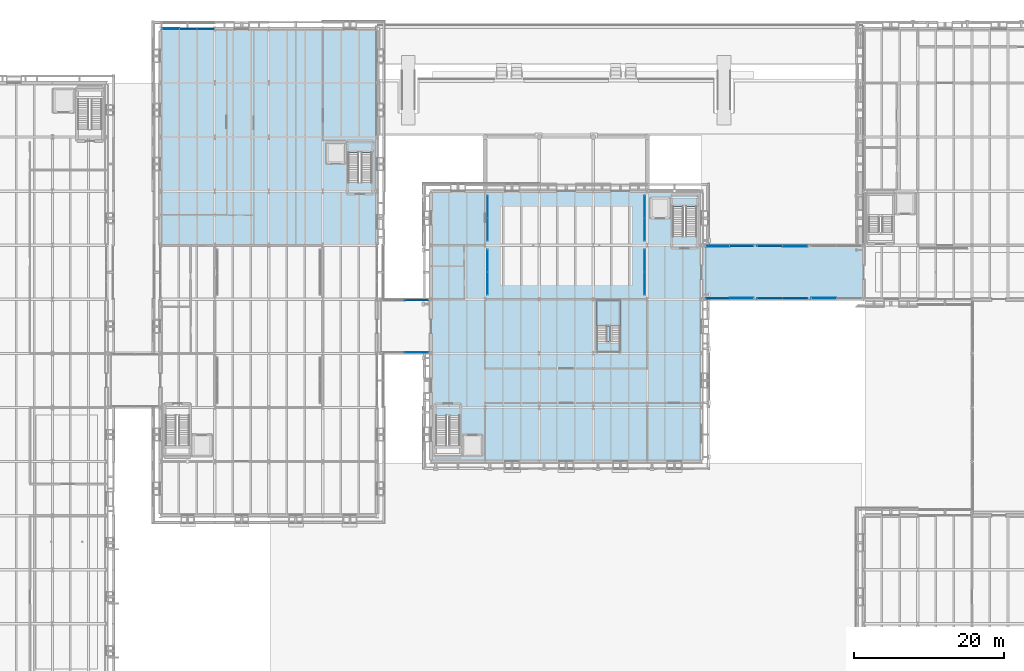
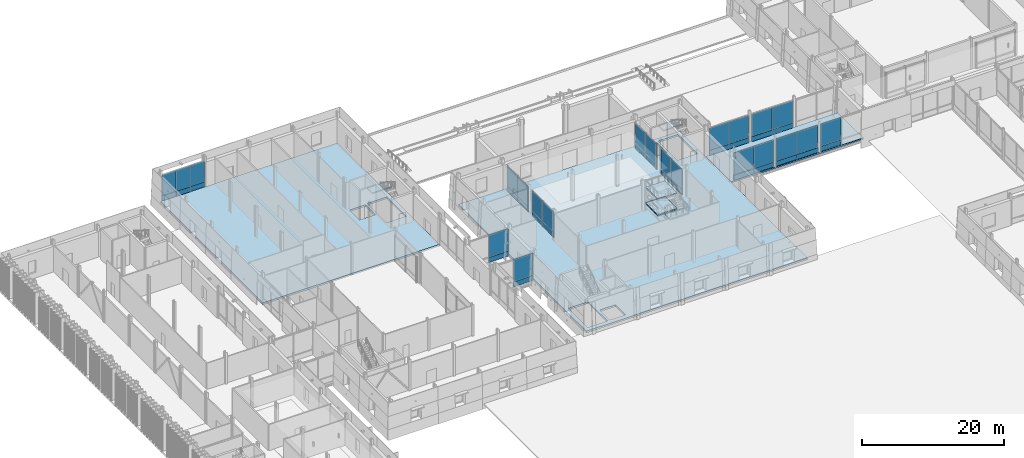
# One storey, part 61 of 120: 44 plates, 8 slabs, 15 elements without a shape of their own.
"""IFC4 building model written with IfcOpenShell, lengths in metres."""

from ifc_helpers import new_model, si_unit, direction, frame, origin, origin_2d, place, context, subcontext, project, spatial, polyline, rectangle, outline, extrude, material, layer, layer_set, type_object, element, aggregate, save


model = new_model("IFC4")

# Units and contexts
model_context = context("Model", 3, precision=1e-05, world=origin(), true_north=direction((0.0, 1.0)))
body_context = subcontext(model_context, "Body", "Model", "MODEL_VIEW")
ifc_project = project(units=[si_unit("LENGTHUNIT", "METRE"), si_unit("AREAUNIT", "SQUARE_METRE"), si_unit("VOLUMEUNIT", "CUBIC_METRE"), si_unit("PLANEANGLEUNIT", "RADIAN"), si_unit("MASSUNIT", "GRAM", prefix="KILO")], contexts=[model_context])

# Site, building, storey
site_placement = place(None, origin())
site = spatial("IfcSite", under=ifc_project, at=site_placement, CompositionType="ELEMENT")
building_placement = place(site_placement, origin())
building = spatial("IfcBuilding", under=site, at=building_placement, Name="Narikvali Park Central Library", CompositionType="ELEMENT")
storey_placement = place(building_placement, origin())
storey = spatial("IfcBuildingStorey", under=building, at=storey_placement, Name="L00", CompositionType="ELEMENT", Elevation=0.0)

# Slab
ifc_material_1 = material(Name="Concrete C40/50", Category="concrete")
ifc_layer_1 = layer(ifc_material_1, 0.25, Name="Concrete C40/50")
ifc_layer_set_1 = layer_set([ifc_layer_1], Name="Concrete C40/50")
slab_type_1 = type_object("IfcSlabType", Name="Bridge Sliding Deck Slab 250", PredefinedType="FLOOR", material=ifc_layer_set_1)
slab_1_placement = place(storey_placement, frame((0.0, 0.0, -0.25)))
element("IfcSlab", 1, at=slab_1_placement, inside=storey, type_object=slab_type_1, Name="BRG-3 L00 Covered Bridge Deck", PredefinedType="FLOOR", context=body_context, shape_type="SweptSolid", body=[
    extrude(outline(polyline([(100.840087890625, 79.199951171875), (122.360107421875, 79.199951171875), (122.360107421875, 86.39990234375), (100.840087890625, 86.39990234375), (100.840087890625, 79.199951171875)])), origin(), (0.0, 0.0, 1.0), 0.25),
])

# Curtain wall, plate
ifc_material_2 = material(Name="Anodised Bronze Aluminium", Category="aluminium")
ifc_layer_2 = layer(ifc_material_2, 0.219970703125, Name="Anodised Bronze Aluminium")
ifc_layer_set_2 = layer_set([ifc_layer_2], Name="Anodised Bronze Aluminium")
curtain_wall_type_1 = type_object("IfcCurtainWallType", Name="Atrium Tall Curtain Wall System", PredefinedType="NOTDEFINED", material=ifc_layer_set_2)
curtain_wall_1_placement = place(storey_placement, origin())
curtain_wall_1 = element("IfcCurtainWall", 2, at=curtain_wall_1_placement, inside=storey, type_object=curtain_wall_type_1, Name="Atrium Tall Curtain Wall System CW-V4-L00-N-04", PredefinedType="NOTDEFINED")
ifc_material_3 = material(Name="Anodised Bronze Acoustic Spandrel Cassette")
ifc_layer_3 = layer(ifc_material_3, 0.1650390625, Name="Anodised Bronze Acoustic Spandrel Cassette")
ifc_layer_set_3 = layer_set([ifc_layer_3], Name="Anodised Bronze Acoustic Spandrel Cassette")
plate_type_1 = type_object("IfcPlateType", Name="Curtain Wall Acoustic Plenum Louvre Cassette 165", PredefinedType="CURTAIN_PANEL", material=ifc_layer_set_3)
plate_1_placement = place(storey_placement, frame((32.47705078125, 115.199951171875, 0.03515625), z_axis=(0.0, 0.0, 1.0), x_axis=(-1.0, 0.0, 0.0)))
plate_1 = element("IfcPlate", 3, at=plate_1_placement, type_object=plate_type_1, Name="CW-V4-L00-N-04 Panel 01-0", PredefinedType="CURTAIN_PANEL", context=body_context, shape_type="SweptSolid", body=[
    extrude(rectangle(XDim=2.313232421875, YDim=0.1650390625, at=origin_2d()), origin(), (0.0, 0.0, 1.0), 0.860107421875),
])

ifc_layer_4 = layer(ifc_material_2, 0.219970703125, Name="Anodised Bronze Aluminium")
ifc_layer_set_4 = layer_set([ifc_layer_4], Name="Anodised Bronze Aluminium")
curtain_wall_type_2 = type_object("IfcCurtainWallType", Name="Bridge Covered Passage Glazing System", PredefinedType="NOTDEFINED", material=ifc_layer_set_4)
curtain_wall_2_placement = place(storey_placement, origin())
curtain_wall_2 = element("IfcCurtainWall", 4, at=curtain_wall_2_placement, inside=storey, type_object=curtain_wall_type_2, Name="Bridge Covered Passage Glazing System CW-BRG-3-L00-S1", PredefinedType="NOTDEFINED")
plate_2_placement = place(storey_placement, frame((102.952392578125, 79.320068359375, 0.03515625), z_axis=(0.0, 0.0, 1.0), x_axis=(1.0, 0.0, 0.0)))
plate_2 = element("IfcPlate", 5, at=plate_2_placement, type_object=plate_type_1, Name="CW-BRG-3-L00-S1 Panel 00-0", PredefinedType="CURTAIN_PANEL", context=body_context, shape_type="SweptSolid", body=[
    extrude(rectangle(XDim=3.195068359375, YDim=0.1650390625, at=origin_2d()), origin(), (0.0, 0.0, 1.0), 0.860107421875),
])

curtain_wall_3_placement = place(storey_placement, origin())
curtain_wall_3 = element("IfcCurtainWall", 6, at=curtain_wall_3_placement, inside=storey, type_object=curtain_wall_type_2, Name="Bridge Covered Passage Glazing System CW-BRG-3-L00-S2", PredefinedType="NOTDEFINED")
plate_3_placement = place(storey_placement, frame((113.280029296875, 79.320068359375, 0.03515625), z_axis=(0.0, 0.0, 1.0), x_axis=(1.0, 0.0, 0.0)))
plate_3 = element("IfcPlate", 7, at=plate_3_placement, type_object=plate_type_1, Name="CW-BRG-3-L00-S2 Panel 01-0", PredefinedType="CURTAIN_PANEL", context=body_context, shape_type="SweptSolid", body=[
    extrude(rectangle(XDim=3.35009765625, YDim=0.1650390625, at=origin_2d()), origin(), (0.0, 0.0, 1.0), 0.860107421875),
])

curtain_wall_4_placement = place(storey_placement, origin())
curtain_wall_4 = element("IfcCurtainWall", 8, at=curtain_wall_4_placement, inside=storey, type_object=curtain_wall_type_2, Name="Bridge Covered Passage Glazing System CW-BRG-3-L00-N2", PredefinedType="NOTDEFINED")
plate_4_placement = place(storey_placement, frame((109.919921875, 86.280029296875, 0.03515625), z_axis=(0.0, 0.0, 1.0), x_axis=(1.0, 0.0, 0.0)))
plate_4 = element("IfcPlate", 9, at=plate_4_placement, type_object=plate_type_1, Name="CW-BRG-3-L00-N2 Panel 00-0", PredefinedType="CURTAIN_PANEL", context=body_context, shape_type="SweptSolid", body=[
    extrude(rectangle(XDim=3.35009765625, YDim=0.1650390625, at=origin_2d()), origin(), (0.0, 0.0, 1.0), 0.860107421875),
])

# Plate
ifc_material_4 = material(Name="Heavy Acoustic Laminated Clerestory Glazing", Category="glass")
ifc_layer_5 = layer(ifc_material_4, 0.06396484375, Name="Heavy Acoustic Laminated Clerestory Glazing")
ifc_layer_set_5 = layer_set([ifc_layer_5], Name="Heavy Acoustic Laminated Clerestory Glazing")
plate_type_2 = type_object("IfcPlateType", Name="Curtain Wall Clerestory Laminated Acoustic Glass 64", PredefinedType="CURTAIN_PANEL", material=ifc_layer_set_5)
plate_5_placement = place(storey_placement, frame((34.80029296875, 115.199951171875, 0.905029296875), z_axis=(0.0, 0.0, 1.0), x_axis=(-1.0, 0.0, 0.0)))
plate_5 = element("IfcPlate", 10, at=plate_5_placement, type_object=plate_type_2, Name="CW-V4-L00-N-04 Panel 00-1", PredefinedType="CURTAIN_PANEL", context=body_context, shape_type="SweptSolid", body=[
    extrude(rectangle(XDim=2.313232421875, YDim=0.06396484375, at=origin_2d()), origin(), (0.0, 0.0, 1.0), 3.56005859375),
])

plate_6_placement = place(storey_placement, frame((32.47705078125, 115.199951171875, 0.905029296875), z_axis=(0.0, 0.0, 1.0), x_axis=(-1.0, 0.0, 0.0)))
plate_6 = element("IfcPlate", 11, at=plate_6_placement, type_object=plate_type_2, Name="CW-V4-L00-N-04 Panel 01-1", PredefinedType="CURTAIN_PANEL", context=body_context, shape_type="SweptSolid", body=[
    extrude(rectangle(XDim=2.313232421875, YDim=0.06396484375, at=origin_2d()), origin(), (0.0, 0.0, 1.0), 3.56005859375),
])

plate_7_placement = place(storey_placement, frame((30.15380859375, 115.199951171875, 0.905029296875), z_axis=(0.0, 0.0, 1.0), x_axis=(-1.0, 0.0, 0.0)))
plate_7 = element("IfcPlate", 12, at=plate_7_placement, type_object=plate_type_2, Name="CW-V4-L00-N-04 Panel 02-1", PredefinedType="CURTAIN_PANEL", context=body_context, shape_type="SweptSolid", body=[
    extrude(rectangle(XDim=2.313232421875, YDim=0.06396484375, at=origin_2d()), origin(), (0.0, 0.0, 1.0), 3.56005859375),
])

plate_8_placement = place(storey_placement, frame((109.919921875, 79.320068359375, 0.905029296875), z_axis=(0.0, 0.0, 1.0), x_axis=(1.0, 0.0, 0.0)))
plate_8 = element("IfcPlate", 13, at=plate_8_placement, type_object=plate_type_2, Name="CW-BRG-3-L00-S2 Panel 00-1", PredefinedType="CURTAIN_PANEL", context=body_context, shape_type="SweptSolid", body=[
    extrude(rectangle(XDim=3.35009765625, YDim=0.06396484375, at=origin_2d()), origin(), (0.0, 0.0, 1.0), 3.81005859375),
])

plate_9_placement = place(storey_placement, frame((113.280029296875, 79.320068359375, 0.905029296875), z_axis=(0.0, 0.0, 1.0), x_axis=(1.0, 0.0, 0.0)))
plate_9 = element("IfcPlate", 14, at=plate_9_placement, type_object=plate_type_2, Name="CW-BRG-3-L00-S2 Panel 01-1", PredefinedType="CURTAIN_PANEL", context=body_context, shape_type="SweptSolid", body=[
    extrude(rectangle(XDim=3.35009765625, YDim=0.06396484375, at=origin_2d()), origin(), (0.0, 0.0, 1.0), 3.81005859375),
])

# Curtain wall, plates
curtain_wall_5_placement = place(storey_placement, origin())
curtain_wall_5 = element("IfcCurtainWall", 15, at=curtain_wall_5_placement, inside=storey, type_object=curtain_wall_type_1, Name="Atrium Tall Curtain Wall System CW-GAL-V1-L00-FOY-W1", PredefinedType="NOTDEFINED")
plate_10_placement = place(storey_placement, frame((72.35009765625, 81.300048828125, 0.03515625), z_axis=(0.0, 0.0, 1.0), x_axis=(0.0, 1.0, 0.0)))
plate_10 = element("IfcPlate", 16, at=plate_10_placement, type_object=plate_type_2, Name="CW-GAL-V1-L00-FOY-W1 Panel 00-0", PredefinedType="CURTAIN_PANEL", context=body_context, shape_type="SweptSolid", body=[
    extrude(rectangle(XDim=2.989990234375, YDim=0.06396484375, at=origin_2d()), origin(), (0.0, 0.0, 1.0), 0.860107421875),
])
plate_11_placement = place(storey_placement, frame((72.35009765625, 84.300048828125, 0.03515625), z_axis=(0.0, 0.0, 1.0), x_axis=(0.0, 1.0, 0.0)))
plate_11 = element("IfcPlate", 17, at=plate_11_placement, type_object=plate_type_2, Name="CW-GAL-V1-L00-FOY-W1 Panel 01-0", PredefinedType="CURTAIN_PANEL", context=body_context, shape_type="SweptSolid", body=[
    extrude(rectangle(XDim=2.989990234375, YDim=0.06396484375, at=origin_2d()), origin(), (0.0, 0.0, 1.0), 0.860107421875),
])

curtain_wall_6_placement = place(storey_placement, origin())
curtain_wall_6 = element("IfcCurtainWall", 18, at=curtain_wall_6_placement, inside=storey, type_object=curtain_wall_type_1, Name="Atrium Tall Curtain Wall System CW-GAL-V1-L00-FOY-E1", PredefinedType="NOTDEFINED")
plate_12_placement = place(storey_placement, frame((93.25, 81.300048828125, 0.905029296875), z_axis=(0.0, 0.0, 1.0), x_axis=(0.0, 1.0, 0.0)))
plate_12 = element("IfcPlate", 19, at=plate_12_placement, type_object=plate_type_2, Name="CW-GAL-V1-L00-FOY-E1 Panel 00-1", PredefinedType="CURTAIN_PANEL", context=body_context, shape_type="SweptSolid", body=[
    extrude(rectangle(XDim=2.989990234375, YDim=0.06396484375, at=origin_2d()), origin(), (0.0, 0.0, 1.0), 3.4599609375),
])
plate_13_placement = place(storey_placement, frame((93.25, 84.300048828125, 0.905029296875), z_axis=(0.0, 0.0, 1.0), x_axis=(0.0, 1.0, 0.0)))
plate_13 = element("IfcPlate", 20, at=plate_13_placement, type_object=plate_type_2, Name="CW-GAL-V1-L00-FOY-E1 Panel 01-1", PredefinedType="CURTAIN_PANEL", context=body_context, shape_type="SweptSolid", body=[
    extrude(rectangle(XDim=2.989990234375, YDim=0.06396484375, at=origin_2d()), origin(), (0.0, 0.0, 1.0), 3.4599609375),
])

curtain_wall_7_placement = place(storey_placement, origin())
curtain_wall_7 = element("IfcCurtainWall", 21, at=curtain_wall_7_placement, inside=storey, type_object=curtain_wall_type_1, Name="Atrium Tall Curtain Wall System CW-GAL-V1-L00-FOY-E2", PredefinedType="NOTDEFINED")
plate_14_placement = place(storey_placement, frame((93.25, 88.5, 0.03515625), z_axis=(0.0, 0.0, 1.0), x_axis=(0.0, 1.0, 0.0)))
plate_14 = element("IfcPlate", 22, at=plate_14_placement, type_object=plate_type_2, Name="CW-GAL-V1-L00-FOY-E2 Panel 00-0", PredefinedType="CURTAIN_PANEL", context=body_context, shape_type="SweptSolid", body=[
    extrude(rectangle(XDim=2.989990234375, YDim=0.06396484375, at=origin_2d()), origin(), (0.0, 0.0, 1.0), 0.860107421875),
])
plate_15_placement = place(storey_placement, frame((93.25, 91.5, 0.03515625), z_axis=(0.0, 0.0, 1.0), x_axis=(0.0, 1.0, 0.0)))
plate_15 = element("IfcPlate", 23, at=plate_15_placement, type_object=plate_type_2, Name="CW-GAL-V1-L00-FOY-E2 Panel 01-0", PredefinedType="CURTAIN_PANEL", context=body_context, shape_type="SweptSolid", body=[
    extrude(rectangle(XDim=2.989990234375, YDim=0.06396484375, at=origin_2d()), origin(), (0.0, 0.0, 1.0), 0.860107421875),
])

# Curtain wall, plate
curtain_wall_8_placement = place(storey_placement, origin())
curtain_wall_8 = element("IfcCurtainWall", 24, at=curtain_wall_8_placement, inside=storey, type_object=curtain_wall_type_2, Name="Bridge Covered Passage Glazing System CW-BRG-2-L00-S1", PredefinedType="NOTDEFINED")
ifc_material_5 = material(Name="Double Low-E Tempered Vision Glazing", Category="glass")
ifc_layer_6 = layer(ifc_material_5, 0.035888671875, Name="Double Low-E Tempered Vision Glazing")
ifc_layer_set_6 = layer_set([ifc_layer_6], Name="Double Low-E Tempered Vision Glazing")
plate_type_3 = type_object("IfcPlateType", Name="Curtain Wall Double Low-E Vision Glazing 36", PredefinedType="CURTAIN_PANEL", material=ifc_layer_set_6)
plate_16_placement = place(storey_placement, frame((62.91259765625, 72.1201171875, 0.905029296875), z_axis=(0.0, 0.0, 1.0), x_axis=(1.0, 0.0, 0.0)))
plate_16 = element("IfcPlate", 25, at=plate_16_placement, type_object=plate_type_3, Name="CW-BRG-2-L00-S1 Panel 01-1", PredefinedType="CURTAIN_PANEL", context=body_context, shape_type="SweptSolid", body=[
    extrude(rectangle(XDim=3.1650390625, YDim=0.035888671875, at=origin_2d()), origin(), (0.0, 0.0, 1.0), 3.81005859375),
])

# Plate
plate_17_placement = place(storey_placement, frame((102.952392578125, 79.320068359375, 0.905029296875), z_axis=(0.0, 0.0, 1.0), x_axis=(1.0, 0.0, 0.0)))
plate_17 = element("IfcPlate", 26, at=plate_17_placement, type_object=plate_type_3, Name="CW-BRG-3-L00-S1 Panel 00-1", PredefinedType="CURTAIN_PANEL", context=body_context, shape_type="SweptSolid", body=[
    extrude(rectangle(XDim=3.195068359375, YDim=0.035888671875, at=origin_2d()), origin(), (0.0, 0.0, 1.0), 3.81005859375),
])

plate_18_placement = place(storey_placement, frame((106.157470703125, 79.320068359375, 0.905029296875), z_axis=(0.0, 0.0, 1.0), x_axis=(1.0, 0.0, 0.0)))
plate_18 = element("IfcPlate", 27, at=plate_18_placement, type_object=plate_type_3, Name="CW-BRG-3-L00-S1 Panel 01-1", PredefinedType="CURTAIN_PANEL", context=body_context, shape_type="SweptSolid", body=[
    extrude(rectangle(XDim=3.195068359375, YDim=0.035888671875, at=origin_2d()), origin(), (0.0, 0.0, 1.0), 3.81005859375),
])

plate_19_placement = place(storey_placement, frame((109.919921875, 86.280029296875, 0.905029296875), z_axis=(0.0, 0.0, 1.0), x_axis=(1.0, 0.0, 0.0)))
plate_19 = element("IfcPlate", 28, at=plate_19_placement, type_object=plate_type_3, Name="CW-BRG-3-L00-N2 Panel 00-1", PredefinedType="CURTAIN_PANEL", context=body_context, shape_type="SweptSolid", body=[
    extrude(rectangle(XDim=3.35009765625, YDim=0.035888671875, at=origin_2d()), origin(), (0.0, 0.0, 1.0), 3.81005859375),
])

plate_20_placement = place(storey_placement, frame((113.280029296875, 86.280029296875, 0.905029296875), z_axis=(0.0, 0.0, 1.0), x_axis=(1.0, 0.0, 0.0)))
plate_20 = element("IfcPlate", 29, at=plate_20_placement, type_object=plate_type_3, Name="CW-BRG-3-L00-N2 Panel 01-1", PredefinedType="CURTAIN_PANEL", context=body_context, shape_type="SweptSolid", body=[
    extrude(rectangle(XDim=3.35009765625, YDim=0.035888671875, at=origin_2d()), origin(), (0.0, 0.0, 1.0), 3.81005859375),
])

plate_21_placement = place(storey_placement, frame((72.35009765625, 81.300048828125, 0.905029296875), z_axis=(0.0, 0.0, 1.0), x_axis=(0.0, 1.0, 0.0)))
plate_21 = element("IfcPlate", 30, at=plate_21_placement, type_object=plate_type_3, Name="CW-GAL-V1-L00-FOY-W1 Panel 00-1", PredefinedType="CURTAIN_PANEL", context=body_context, shape_type="SweptSolid", body=[
    extrude(rectangle(XDim=2.989990234375, YDim=0.035888671875, at=origin_2d()), origin(), (0.0, 0.0, 1.0), 3.4599609375),
])

plate_22_placement = place(storey_placement, frame((72.35009765625, 84.300048828125, 0.905029296875), z_axis=(0.0, 0.0, 1.0), x_axis=(0.0, 1.0, 0.0)))
plate_22 = element("IfcPlate", 31, at=plate_22_placement, type_object=plate_type_3, Name="CW-GAL-V1-L00-FOY-W1 Panel 01-1", PredefinedType="CURTAIN_PANEL", context=body_context, shape_type="SweptSolid", body=[
    extrude(rectangle(XDim=2.989990234375, YDim=0.035888671875, at=origin_2d()), origin(), (0.0, 0.0, 1.0), 3.4599609375),
])

aggregate(curtain_wall_5, [plate_10, plate_21, plate_11, plate_22])

# Curtain wall, plates
curtain_wall_9_placement = place(storey_placement, origin())
curtain_wall_9 = element("IfcCurtainWall", 32, at=curtain_wall_9_placement, inside=storey, type_object=curtain_wall_type_1, Name="Atrium Tall Curtain Wall System CW-GAL-V1-L00-FOY-W2", PredefinedType="NOTDEFINED")
plate_23_placement = place(storey_placement, frame((72.35009765625, 88.5, 0.03515625), z_axis=(0.0, 0.0, 1.0), x_axis=(0.0, 1.0, 0.0)))
plate_23 = element("IfcPlate", 33, at=plate_23_placement, type_object=plate_type_3, Name="CW-GAL-V1-L00-FOY-W2 Panel 00-0", PredefinedType="CURTAIN_PANEL", context=body_context, shape_type="SweptSolid", body=[
    extrude(rectangle(XDim=2.989990234375, YDim=0.035888671875, at=origin_2d()), origin(), (0.0, 0.0, 1.0), 0.860107421875),
])
plate_24_placement = place(storey_placement, frame((72.35009765625, 91.5, 0.03515625), z_axis=(0.0, 0.0, 1.0), x_axis=(0.0, 1.0, 0.0)))
plate_24 = element("IfcPlate", 34, at=plate_24_placement, type_object=plate_type_3, Name="CW-GAL-V1-L00-FOY-W2 Panel 01-0", PredefinedType="CURTAIN_PANEL", context=body_context, shape_type="SweptSolid", body=[
    extrude(rectangle(XDim=2.989990234375, YDim=0.035888671875, at=origin_2d()), origin(), (0.0, 0.0, 1.0), 0.860107421875),
])

# Plate
plate_25_placement = place(storey_placement, frame((93.25, 88.5, 0.905029296875), z_axis=(0.0, 0.0, 1.0), x_axis=(0.0, 1.0, 0.0)))
plate_25 = element("IfcPlate", 35, at=plate_25_placement, type_object=plate_type_3, Name="CW-GAL-V1-L00-FOY-E2 Panel 00-1", PredefinedType="CURTAIN_PANEL", context=body_context, shape_type="SweptSolid", body=[
    extrude(rectangle(XDim=2.989990234375, YDim=0.035888671875, at=origin_2d()), origin(), (0.0, 0.0, 1.0), 3.4599609375),
])

plate_26_placement = place(storey_placement, frame((93.25, 91.5, 0.905029296875), z_axis=(0.0, 0.0, 1.0), x_axis=(0.0, 1.0, 0.0)))
plate_26 = element("IfcPlate", 36, at=plate_26_placement, type_object=plate_type_3, Name="CW-GAL-V1-L00-FOY-E2 Panel 01-1", PredefinedType="CURTAIN_PANEL", context=body_context, shape_type="SweptSolid", body=[
    extrude(rectangle(XDim=2.989990234375, YDim=0.035888671875, at=origin_2d()), origin(), (0.0, 0.0, 1.0), 3.4599609375),
])

aggregate(curtain_wall_7, [plate_14, plate_25, plate_15, plate_26])

ifc_material_6 = material(Name="Anodised Bronze Insulated Spandrel Cassette")
ifc_layer_7 = layer(ifc_material_6, 0.110107421875, Name="Anodised Bronze Insulated Spandrel Cassette")
ifc_layer_set_7 = layer_set([ifc_layer_7], Name="Anodised Bronze Insulated Spandrel Cassette")
plate_type_4 = type_object("IfcPlateType", Name="Curtain Wall Insulated Bronze Spandrel Cassette 110", PredefinedType="CURTAIN_PANEL", material=ifc_layer_set_7)
plate_27_placement = place(storey_placement, frame((30.15380859375, 115.199951171875, 0.03515625), z_axis=(0.0, 0.0, 1.0), x_axis=(-1.0, 0.0, 0.0)))
plate_27 = element("IfcPlate", 37, at=plate_27_placement, type_object=plate_type_4, Name="CW-V4-L00-N-04 Panel 02-0", PredefinedType="CURTAIN_PANEL", context=body_context, shape_type="SweptSolid", body=[
    extrude(rectangle(XDim=2.313232421875, YDim=0.110107421875, at=origin_2d()), origin(), (0.0, 0.0, 1.0), 0.860107421875),
])

plate_28_placement = place(storey_placement, frame((62.91259765625, 72.1201171875, 0.03515625), z_axis=(0.0, 0.0, 1.0), x_axis=(1.0, 0.0, 0.0)))
plate_28 = element("IfcPlate", 38, at=plate_28_placement, type_object=plate_type_4, Name="CW-BRG-2-L00-S1 Panel 01-0", PredefinedType="CURTAIN_PANEL", context=body_context, shape_type="SweptSolid", body=[
    extrude(rectangle(XDim=3.1650390625, YDim=0.110107421875, at=origin_2d()), origin(), (0.0, 0.0, 1.0), 0.860107421875),
])

aggregate(curtain_wall_8, [plate_28, plate_16])

plate_29_placement = place(storey_placement, frame((106.157470703125, 79.320068359375, 0.03515625), z_axis=(0.0, 0.0, 1.0), x_axis=(1.0, 0.0, 0.0)))
plate_29 = element("IfcPlate", 39, at=plate_29_placement, type_object=plate_type_4, Name="CW-BRG-3-L00-S1 Panel 01-0", PredefinedType="CURTAIN_PANEL", context=body_context, shape_type="SweptSolid", body=[
    extrude(rectangle(XDim=3.195068359375, YDim=0.110107421875, at=origin_2d()), origin(), (0.0, 0.0, 1.0), 0.860107421875),
])

aggregate(curtain_wall_2, [plate_2, plate_17, plate_29, plate_18])

# Curtain wall, plate
curtain_wall_10_placement = place(storey_placement, origin())
curtain_wall_10 = element("IfcCurtainWall", 40, at=curtain_wall_10_placement, inside=storey, type_object=curtain_wall_type_2, Name="Bridge Covered Passage Glazing System CW-BRG-3-L00-N1", PredefinedType="NOTDEFINED")
plate_30_placement = place(storey_placement, frame((102.952392578125, 86.280029296875, 0.03515625), z_axis=(0.0, 0.0, 1.0), x_axis=(1.0, 0.0, 0.0)))
plate_30 = element("IfcPlate", 41, at=plate_30_placement, type_object=plate_type_4, Name="CW-BRG-3-L00-N1 Panel 00-0", PredefinedType="CURTAIN_PANEL", context=body_context, shape_type="SweptSolid", body=[
    extrude(rectangle(XDim=3.195068359375, YDim=0.110107421875, at=origin_2d()), origin(), (0.0, 0.0, 1.0), 0.860107421875),
])

# Plate
plate_31_placement = place(storey_placement, frame((113.280029296875, 86.280029296875, 0.03515625), z_axis=(0.0, 0.0, 1.0), x_axis=(1.0, 0.0, 0.0)))
plate_31 = element("IfcPlate", 42, at=plate_31_placement, type_object=plate_type_4, Name="CW-BRG-3-L00-N2 Panel 01-0", PredefinedType="CURTAIN_PANEL", context=body_context, shape_type="SweptSolid", body=[
    extrude(rectangle(XDim=3.35009765625, YDim=0.110107421875, at=origin_2d()), origin(), (0.0, 0.0, 1.0), 0.860107421875),
])

aggregate(curtain_wall_4, [plate_4, plate_19, plate_31, plate_20])

# Curtain wall, plate
curtain_wall_11_placement = place(storey_placement, origin())
curtain_wall_11 = element("IfcCurtainWall", 43, at=curtain_wall_11_placement, inside=storey, type_object=curtain_wall_type_2, Name="Bridge Covered Passage Glazing System CW-BRG-3-L00-S3", PredefinedType="NOTDEFINED")
plate_32_placement = place(storey_placement, frame((117.10498046875, 79.320068359375, 0.03515625), z_axis=(0.0, 0.0, 1.0), x_axis=(1.0, 0.0, 0.0)))
plate_32 = element("IfcPlate", 44, at=plate_32_placement, type_object=plate_type_4, Name="CW-BRG-3-L00-S3 Panel 00-0", PredefinedType="CURTAIN_PANEL", context=body_context, shape_type="SweptSolid", body=[
    extrude(rectangle(XDim=3.320068359375, YDim=0.110107421875, at=origin_2d()), origin(), (0.0, 0.0, 1.0), 0.860107421875),
])

# Plate
ifc_material_7 = material(Name="Mineral-Wool Shadow-Box Spandrel Assembly")
ifc_layer_8 = layer(ifc_material_7, 0.139892578125, Name="Mineral-Wool Shadow-Box Spandrel Assembly")
ifc_layer_set_8 = layer_set([ifc_layer_8], Name="Mineral-Wool Shadow-Box Spandrel Assembly")
plate_type_5 = type_object("IfcPlateType", Name="Curtain Wall Shadow-Box Mineral Spandrel Panel 140", PredefinedType="CURTAIN_PANEL", material=ifc_layer_set_8)
plate_33_placement = place(storey_placement, frame((34.80029296875, 115.199951171875, 0.03515625), z_axis=(0.0, 0.0, 1.0), x_axis=(-1.0, 0.0, 0.0)))
plate_33 = element("IfcPlate", 45, at=plate_33_placement, type_object=plate_type_5, Name="CW-V4-L00-N-04 Panel 00-0", PredefinedType="CURTAIN_PANEL", context=body_context, shape_type="SweptSolid", body=[
    extrude(rectangle(XDim=2.313232421875, YDim=0.139892578125, at=origin_2d()), origin(), (0.0, 0.0, 1.0), 0.860107421875),
])

aggregate(curtain_wall_1, [plate_33, plate_5, plate_1, plate_6, plate_27, plate_7])

# Curtain wall, plate
curtain_wall_12_placement = place(storey_placement, origin())
curtain_wall_12 = element("IfcCurtainWall", 46, at=curtain_wall_12_placement, inside=storey, type_object=curtain_wall_type_2, Name="Bridge Covered Passage Glazing System CW-BRG-2-L00-N1", PredefinedType="NOTDEFINED")
plate_34_placement = place(storey_placement, frame((62.91259765625, 79.080078125, 0.03515625), z_axis=(0.0, 0.0, 1.0), x_axis=(1.0, 0.0, 0.0)))
plate_34 = element("IfcPlate", 47, at=plate_34_placement, type_object=plate_type_5, Name="CW-BRG-2-L00-N1 Panel 01-0", PredefinedType="CURTAIN_PANEL", context=body_context, shape_type="SweptSolid", body=[
    extrude(rectangle(XDim=3.1650390625, YDim=0.139892578125, at=origin_2d()), origin(), (0.0, 0.0, 1.0), 0.860107421875),
])

# Plate
plate_35_placement = place(storey_placement, frame((106.157470703125, 86.280029296875, 0.03515625), z_axis=(0.0, 0.0, 1.0), x_axis=(1.0, 0.0, 0.0)))
plate_35 = element("IfcPlate", 48, at=plate_35_placement, type_object=plate_type_5, Name="CW-BRG-3-L00-N1 Panel 01-0", PredefinedType="CURTAIN_PANEL", context=body_context, shape_type="SweptSolid", body=[
    extrude(rectangle(XDim=3.195068359375, YDim=0.139892578125, at=origin_2d()), origin(), (0.0, 0.0, 1.0), 0.860107421875),
])

plate_36_placement = place(storey_placement, frame((109.919921875, 79.320068359375, 0.03515625), z_axis=(0.0, 0.0, 1.0), x_axis=(1.0, 0.0, 0.0)))
plate_36 = element("IfcPlate", 49, at=plate_36_placement, type_object=plate_type_5, Name="CW-BRG-3-L00-S2 Panel 00-0", PredefinedType="CURTAIN_PANEL", context=body_context, shape_type="SweptSolid", body=[
    extrude(rectangle(XDim=3.35009765625, YDim=0.139892578125, at=origin_2d()), origin(), (0.0, 0.0, 1.0), 0.860107421875),
])

aggregate(curtain_wall_3, [plate_36, plate_8, plate_3, plate_9])

ifc_material_8 = material(Name="Triple Low-E Acoustic Laminated Glazing", Category="glass")
ifc_layer_9 = layer(ifc_material_8, 0.048095703125, Name="Triple Low-E Acoustic Laminated Glazing")
ifc_layer_set_9 = layer_set([ifc_layer_9], Name="Triple Low-E Acoustic Laminated Glazing")
plate_type_6 = type_object("IfcPlateType", Name="Curtain Wall Triple Solar-Acoustic Glazing 48", PredefinedType="CURTAIN_PANEL", material=ifc_layer_set_9)
plate_37_placement = place(storey_placement, frame((62.91259765625, 79.080078125, 0.905029296875), z_axis=(0.0, 0.0, 1.0), x_axis=(1.0, 0.0, 0.0)))
plate_37 = element("IfcPlate", 50, at=plate_37_placement, type_object=plate_type_6, Name="CW-BRG-2-L00-N1 Panel 01-1", PredefinedType="CURTAIN_PANEL", context=body_context, shape_type="SweptSolid", body=[
    extrude(rectangle(XDim=3.1650390625, YDim=0.048095703125, at=origin_2d()), origin(), (0.0, 0.0, 1.0), 3.81005859375),
])

aggregate(curtain_wall_12, [plate_34, plate_37])

plate_38_placement = place(storey_placement, frame((102.952392578125, 86.280029296875, 0.905029296875), z_axis=(0.0, 0.0, 1.0), x_axis=(1.0, 0.0, 0.0)))
plate_38 = element("IfcPlate", 51, at=plate_38_placement, type_object=plate_type_6, Name="CW-BRG-3-L00-N1 Panel 00-1", PredefinedType="CURTAIN_PANEL", context=body_context, shape_type="SweptSolid", body=[
    extrude(rectangle(XDim=3.195068359375, YDim=0.048095703125, at=origin_2d()), origin(), (0.0, 0.0, 1.0), 3.81005859375),
])

plate_39_placement = place(storey_placement, frame((106.157470703125, 86.280029296875, 0.905029296875), z_axis=(0.0, 0.0, 1.0), x_axis=(1.0, 0.0, 0.0)))
plate_39 = element("IfcPlate", 52, at=plate_39_placement, type_object=plate_type_6, Name="CW-BRG-3-L00-N1 Panel 01-1", PredefinedType="CURTAIN_PANEL", context=body_context, shape_type="SweptSolid", body=[
    extrude(rectangle(XDim=3.195068359375, YDim=0.048095703125, at=origin_2d()), origin(), (0.0, 0.0, 1.0), 3.81005859375),
])

aggregate(curtain_wall_10, [plate_30, plate_38, plate_35, plate_39])

plate_40_placement = place(storey_placement, frame((117.10498046875, 79.320068359375, 0.905029296875), z_axis=(0.0, 0.0, 1.0), x_axis=(1.0, 0.0, 0.0)))
plate_40 = element("IfcPlate", 53, at=plate_40_placement, type_object=plate_type_6, Name="CW-BRG-3-L00-S3 Panel 00-1", PredefinedType="CURTAIN_PANEL", context=body_context, shape_type="SweptSolid", body=[
    extrude(rectangle(XDim=3.320068359375, YDim=0.048095703125, at=origin_2d()), origin(), (0.0, 0.0, 1.0), 3.81005859375),
])

aggregate(curtain_wall_11, [plate_32, plate_40])

plate_41_placement = place(storey_placement, frame((72.35009765625, 88.5, 0.905029296875), z_axis=(0.0, 0.0, 1.0), x_axis=(0.0, 1.0, 0.0)))
plate_41 = element("IfcPlate", 54, at=plate_41_placement, type_object=plate_type_6, Name="CW-GAL-V1-L00-FOY-W2 Panel 00-1", PredefinedType="CURTAIN_PANEL", context=body_context, shape_type="SweptSolid", body=[
    extrude(rectangle(XDim=2.989990234375, YDim=0.048095703125, at=origin_2d()), origin(), (0.0, 0.0, 1.0), 3.4599609375),
])

plate_42_placement = place(storey_placement, frame((72.35009765625, 91.5, 0.905029296875), z_axis=(0.0, 0.0, 1.0), x_axis=(0.0, 1.0, 0.0)))
plate_42 = element("IfcPlate", 55, at=plate_42_placement, type_object=plate_type_6, Name="CW-GAL-V1-L00-FOY-W2 Panel 01-1", PredefinedType="CURTAIN_PANEL", context=body_context, shape_type="SweptSolid", body=[
    extrude(rectangle(XDim=2.989990234375, YDim=0.048095703125, at=origin_2d()), origin(), (0.0, 0.0, 1.0), 3.4599609375),
])

aggregate(curtain_wall_9, [plate_23, plate_41, plate_24, plate_42])

plate_43_placement = place(storey_placement, frame((93.25, 81.300048828125, 0.03515625), z_axis=(0.0, 0.0, 1.0), x_axis=(0.0, 1.0, 0.0)))
plate_43 = element("IfcPlate", 56, at=plate_43_placement, type_object=plate_type_6, Name="CW-GAL-V1-L00-FOY-E1 Panel 00-0", PredefinedType="CURTAIN_PANEL", context=body_context, shape_type="SweptSolid", body=[
    extrude(rectangle(XDim=2.989990234375, YDim=0.048095703125, at=origin_2d()), origin(), (0.0, 0.0, 1.0), 0.860107421875),
])

plate_44_placement = place(storey_placement, frame((93.25, 84.300048828125, 0.03515625), z_axis=(0.0, 0.0, 1.0), x_axis=(0.0, 1.0, 0.0)))
plate_44 = element("IfcPlate", 57, at=plate_44_placement, type_object=plate_type_6, Name="CW-GAL-V1-L00-FOY-E1 Panel 01-0", PredefinedType="CURTAIN_PANEL", context=body_context, shape_type="SweptSolid", body=[
    extrude(rectangle(XDim=2.989990234375, YDim=0.048095703125, at=origin_2d()), origin(), (0.0, 0.0, 1.0), 0.860107421875),
])

aggregate(curtain_wall_6, [plate_43, plate_12, plate_44, plate_13])

# Slabs
ifc_material_9 = material(Name="Concrete C35/45", Category="concrete")
ifc_layer_10 = layer(ifc_material_9, 0.320068359375, Name="Concrete C35/45")
ifc_layer_set_10 = layer_set([ifc_layer_10], Name="Concrete C35/45")
slab_type_2 = type_object("IfcSlabType", Name="Ground Plinth Composite Slab 320", PredefinedType="FLOOR", material=ifc_layer_set_10)
slab_2_placement = place(storey_placement, frame((0.0, 0.0, -0.320068359375)))
element("IfcSlab", 58, at=slab_2_placement, inside=storey, type_object=slab_type_2, Name="V1 L00 Structural Slab", PredefinedType="FLOOR", context=body_context, shape_type="SweptSolid", body=[
    extrude(outline(polyline([(64.800048828125, 57.60009765625), (100.800048828125, 57.60009765625), (100.800048828125, 93.60009765625), (64.800048828125, 93.60009765625), (64.800048828125, 57.60009765625)]), holes=[polyline([(65.449951171875, 58.300048828125), (68.64990234375, 58.300048828125), (68.64990234375, 63.75), (65.449951171875, 63.75), (65.449951171875, 58.300048828125)]), polyline([(69.050048828125, 58.35009765625), (71.60009765625, 58.35009765625), (71.60009765625, 61.14990234375), (69.050048828125, 61.14990234375), (69.050048828125, 58.35009765625)]), polyline([(96.949951171875, 87.550048828125), (100.14990234375, 87.550048828125), (100.14990234375, 93.0), (96.949951171875, 93.0), (96.949951171875, 87.550048828125)]), polyline([(94.0, 89.949951171875), (96.550048828125, 89.949951171875), (96.550048828125, 92.75), (94.0, 92.75), (94.0, 89.949951171875)])]), origin(), (0.0, 0.0, 1.0), 0.320068359375),
])
slab_3_placement = place(storey_placement, frame((0.0, 0.0, -0.320068359375)))
element("IfcSlab", 59, at=slab_3_placement, inside=storey, type_object=slab_type_2, Name="V4 L00 Structural Slab Panel 2", PredefinedType="FLOOR", context=body_context, shape_type="SweptSolid", body=[
    extrude(outline(polyline([(28.800048828125, 86.39990234375), (57.60009765625, 86.39990234375), (57.60009765625, 115.199951171875), (28.800048828125, 115.199951171875), (28.800048828125, 86.39990234375)]), holes=[polyline([(53.75, 94.75), (56.949951171875, 94.75), (56.949951171875, 100.199951171875), (53.75, 100.199951171875), (53.75, 94.75)]), polyline([(50.85009765625, 97.25), (53.39990234375, 97.25), (53.39990234375, 100.050048828125), (50.85009765625, 100.050048828125), (50.85009765625, 97.25)])]), origin(), (0.0, 0.0, 1.0), 0.320068359375),
])

# Stair, slab
stair_type_1 = type_object("IfcStairType", Name="Core Enclosed Two-Flight Exit Stair", PredefinedType="HALF_TURN_STAIR", material=ifc_material_9)
stair_1_placement = place(storey_placement, origin())
stair_1 = element("IfcStair", 60, at=stair_1_placement, inside=storey, type_object=stair_type_1, Name="L00 Exit Stair ST-02", PredefinedType="HALF_TURN_STAIR")
ifc_layer_11 = layer(ifc_material_9, 0.199951171875, Name="Concrete C35/45")
ifc_layer_set_11 = layer_set([ifc_layer_11], Name="Concrete C35/45")
slab_type_3 = type_object("IfcSlabType", Name="Stair Half-Landing Concrete Slab 200", PredefinedType="LANDING", material=ifc_layer_set_11)
slab_4_placement = place(storey_placement, frame((0.0, 0.0, 2.5)))
slab_4 = element("IfcSlab", 61, at=slab_4_placement, type_object=slab_type_3, Name="ST-02 landing 1", PredefinedType="LANDING", context=body_context, shape_type="SweptSolid", body=[
    extrude(outline(polyline([(100.14990234375, 91.5400390625), (100.14990234375, 93.0), (96.949951171875, 93.0), (96.949951171875, 91.5400390625), (100.14990234375, 91.5400390625)])), origin(), (0.0, 0.0, 1.0), 0.199951171875),
])
aggregate(stair_1, [slab_4])

stair_2_placement = place(storey_placement, origin())
stair_2 = element("IfcStair", 62, at=stair_2_placement, inside=storey, type_object=stair_type_1, Name="L00 Exit Stair ST-08", PredefinedType="HALF_TURN_STAIR")
slab_5_placement = place(storey_placement, frame((0.0, 0.0, 2.5)))
slab_5 = element("IfcSlab", 63, at=slab_5_placement, type_object=slab_type_3, Name="ST-08 landing 1", PredefinedType="LANDING", context=body_context, shape_type="SweptSolid", body=[
    extrude(outline(polyline([(56.949951171875, 98.739990234375), (56.949951171875, 100.199951171875), (53.75, 100.199951171875), (53.75, 98.739990234375), (56.949951171875, 98.739990234375)])), origin(), (0.0, 0.0, 1.0), 0.199951171875),
])
aggregate(stair_2, [slab_5])

# Stair, slabs
ifc_material_10 = material(Name="Precast Terrazzo Concrete C40/50", Category="concrete")
stair_type_2 = type_object("IfcStairType", Name="Monumental Reading Room Feature Stair", PredefinedType="HALF_TURN_STAIR", material=ifc_material_10)
stair_3_placement = place(storey_placement, origin())
stair_3 = element("IfcStair", 64, at=stair_3_placement, inside=storey, type_object=stair_type_2, Name="L00 Monumental Reading Room Stair ST-13", PredefinedType="HALF_TURN_STAIR")
slab_6_placement = place(storey_placement, frame((0.0, 0.0, 1.14990234375)))
slab_6 = element("IfcSlab", 65, at=slab_6_placement, type_object=slab_type_3, Name="ST-13 landing 1", PredefinedType="LANDING", context=body_context, shape_type="SweptSolid", body=[
    extrude(outline(polyline([(90.0, 75.6650390625), (90.0, 79.10009765625), (86.85009765625, 79.10009765625), (86.85009765625, 75.6650390625), (90.0, 75.6650390625)])), origin(), (0.0, 0.0, 1.0), 0.2001953125),
])
slab_7_placement = place(storey_placement, frame((0.0, 0.0, 2.5)))
slab_7 = element("IfcSlab", 66, at=slab_7_placement, type_object=slab_type_3, Name="ST-13 landing 2", PredefinedType="LANDING", context=body_context, shape_type="SweptSolid", body=[
    extrude(outline(polyline([(90.0, 72.10009765625), (90.0, 73.60009765625), (86.85009765625, 73.60009765625), (86.85009765625, 72.10009765625), (90.0, 72.10009765625)])), origin(), (0.0, 0.0, 1.0), 0.199951171875),
])
slab_8_placement = place(storey_placement, frame((0.0, 0.0, 3.85009765625)))
slab_8 = element("IfcSlab", 67, at=slab_8_placement, type_object=slab_type_3, Name="ST-13 landing 3", PredefinedType="LANDING", context=body_context, shape_type="SweptSolid", body=[
    extrude(outline(polyline([(90.0, 75.6650390625), (90.0, 79.10009765625), (86.85009765625, 79.10009765625), (86.85009765625, 75.6650390625), (90.0, 75.6650390625)])), origin(), (0.0, 0.0, 1.0), 0.199951171875),
])
aggregate(stair_3, [slab_6, slab_7, slab_8])

save(model, "model.ifc")
